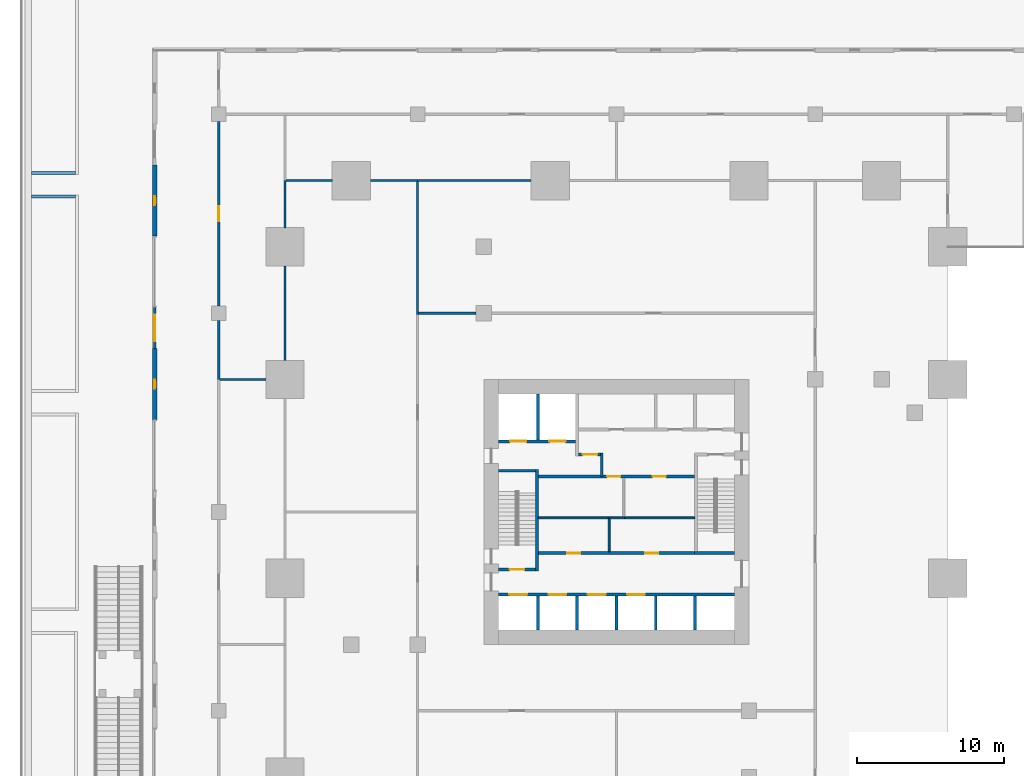
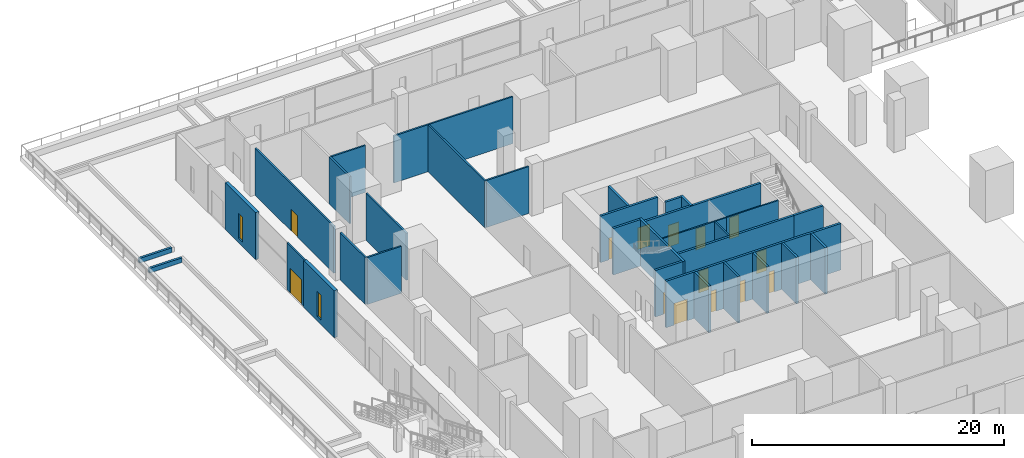
# One storey, part 32 of 49: 35 walls, 14 doors, 2 windows, 16 openings.
"""IFC4 building model written with IfcOpenShell, lengths in metres."""

from ifc_helpers import new_model, si_unit, direction, frame, frame_2d, origin, place, context, subcontext, project, spatial, rectangle, extrude, material, layer, layer_set, type_object, element, fill, save


model = new_model("IFC4")

# Units and contexts
model_context = context("Model", 3, precision=1e-05, world=origin(), true_north=direction((0.0, 1.0)))
body_context = subcontext(model_context, "Body", "Model", "MODEL_VIEW")
ifc_project = project(units=[si_unit("LENGTHUNIT", "METRE"), si_unit("AREAUNIT", "SQUARE_METRE"), si_unit("VOLUMEUNIT", "CUBIC_METRE"), si_unit("PLANEANGLEUNIT", "RADIAN"), si_unit("MASSUNIT", "GRAM", prefix="KILO")], contexts=[model_context])

# Site, building, storey
site_placement = place(None, origin())
site = spatial("IfcSite", under=ifc_project, at=site_placement, CompositionType="ELEMENT")
building_placement = place(site_placement, origin())
building = spatial("IfcBuilding", under=site, at=building_placement, Name="Altepetl Exchange Towers", CompositionType="ELEMENT")
storey_placement = place(building_placement, frame((0.0, 0.0, 11.5)))
storey = spatial("IfcBuildingStorey", under=building, at=storey_placement, Name="L02 Exchange podium", CompositionType="ELEMENT", Elevation=11.5)

# Wall, opening, door
ifc_material_1 = material(Name="Aluminium composite cladding", Category="aluminium")
ifc_layer_1 = layer(ifc_material_1, 0.14990234375)
ifc_layer_set_1 = layer_set([ifc_layer_1], Name="Aluminium composite cladding")
wall_type_1 = type_object("IfcWallType", Name="Infill wall 150 aluminium panel", PredefinedType="SOLIDWALL", material=ifc_layer_set_1)
wall_1_placement = place(storey_placement, frame((18.14990234375, 63.39990234375, 0.0), z_axis=(0.0, 0.0, 1.0), x_axis=(0.0, -1.0, 0.0)))
wall_1 = element("IfcWall", 1, at=wall_1_placement, inside=storey, type_object=wall_type_1, Name="Door bay wall", PredefinedType="SOLIDWALL", context=body_context, shape_type="SweptSolid", body=[
    extrude(rectangle(XDim=2.7998046875, YDim=0.14990234375, at=frame_2d((1.39990234375, 0.0))), origin(), (0.0, 0.0, 1.0), 4.550048828125),
])
opening_1_placement = place(wall_1_placement, frame((0.5, 0.0, 0.0)))
opening_1 = element("IfcOpeningElement", 2, at=opening_1_placement, cuts=wall_1, Name="Opening L02.E04", PredefinedType="OPENING", context=body_context, shape_type="SweptSolid", body=[
    extrude(rectangle(XDim=1.800048828125, YDim=2.39990234375, at=frame_2d((0.89990234375, 1.199951171875))), frame((0.0, 0.0849609375, 0.0), z_axis=(0.0, -1.0, 0.0), x_axis=(1.0, 0.0, 0.0)), (0.0, 0.0, 1.0), 0.169921875),
])
ifc_material_2 = material(Name="Aluminium 6063-T6 and glass", Category="aluminium")
door_type_1 = type_object("IfcDoorType", Name="Glazed door pair 1800x2400", OperationType="DOUBLE_DOOR_DOUBLE_SWING", PredefinedType="NOTDEFINED", material=ifc_material_2)
door_1_placement = place(opening_1_placement, frame((1.800048828125, 0.0, 0.0), x_axis=(-1.0, 0.0, 0.0)))
door_1 = element("IfcDoor", 3, at=door_1_placement, inside=storey, type_object=door_type_1, Name="Terrace door", OperationType="DOUBLE_DOOR_DOUBLE_SWING", OverallHeight=2.39990234375, OverallWidth=1.800048828125, PredefinedType="NOTDEFINED", context=body_context, shape_type="SweptSolid", body=[
    extrude(rectangle(XDim=1.800048828125, YDim=2.39990234375, at=frame_2d((0.89990234375, 1.199951171875))), frame((0.0, 0.02490234375, 0.0), z_axis=(0.0, -1.0, 0.0), x_axis=(1.0, 0.0, 0.0)), (0.0, 0.0, 1.0), 0.050048828125),
])
fill(opening_1, door_1)

# Wall
ifc_material_3 = material(Name="Concrete blockwork", Category="masonry")
ifc_layer_2 = layer(ifc_material_3, 0.199951171875)
ifc_layer_set_2 = layer_set([ifc_layer_2], Name="Concrete blockwork")
wall_type_2 = type_object("IfcWallType", Name="Lobby wall 200 blockwork", PredefinedType="PARTITIONING", material=ifc_layer_set_2)
wall_2_placement = place(storey_placement, frame((48.5, 51.89990234375, 0.0), z_axis=(0.0, 0.0, 1.0), x_axis=(0.0, 1.0, 0.0)))
element("IfcWall", 4, at=wall_2_placement, inside=storey, type_object=wall_type_2, Name="wall:A:L02:K-ffE", PredefinedType="PARTITIONING", context=body_context, shape_type="SweptSolid", body=[
    extrude(rectangle(XDim=1.60009765625, YDim=0.199951171875, at=frame_2d((0.800048828125, 0.0))), origin(), (0.0, 0.0, 1.0), 4.5),
])

# Wall, opening, door
wall_3_placement = place(storey_placement, frame((46.933349609375, 53.39990234375, 0.0)))
wall_3 = element("IfcWall", 5, at=wall_3_placement, inside=storey, type_object=wall_type_2, Name="wall:A:L02:K-ffN", PredefinedType="PARTITIONING", context=body_context, shape_type="SweptSolid", body=[
    extrude(rectangle(XDim=1.466552734375, YDim=0.199951171875, at=frame_2d((0.7333984375, 0.0))), origin(), (0.0, 0.0, 1.0), 4.5),
])
opening_2_placement = place(wall_3_placement, frame((0.2666015625, 0.0, 0.0)))
opening_2 = element("IfcOpeningElement", 6, at=opening_2_placement, cuts=wall_3, Name="Opening L02.A67", PredefinedType="OPENING", context=body_context, shape_type="SweptSolid", body=[
    extrude(rectangle(XDim=1.0, YDim=2.10009765625, at=frame_2d((0.5, 1.050048828125))), frame((0.0, 0.10986328125, 0.0), z_axis=(0.0, -1.0, 0.0), x_axis=(1.0, 0.0, 0.0)), (0.0, 0.0, 1.0), 0.219970703125),
])
ifc_material_4 = material(Name="Steel and timber fire door", Category="steel")
door_type_2 = type_object("IfcDoorType", Name="Fire door 1000 x 2100 stair and lobby", OperationType="SINGLE_SWING_LEFT", PredefinedType="DOOR", material=ifc_material_4)
door_2_placement = place(opening_2_placement, frame((1.0, 0.0, 0.0), x_axis=(-1.0, 0.0, 0.0)))
door_2 = element("IfcDoor", 7, at=door_2_placement, inside=storey, type_object=door_type_2, Name="door:A:L02:K-dffN", OperationType="SINGLE_SWING_RIGHT", OverallHeight=2.10009765625, OverallWidth=1.0, PredefinedType="DOOR", context=body_context, shape_type="SweptSolid", body=[
    extrude(rectangle(XDim=1.0, YDim=2.10009765625, at=frame_2d((0.5, 1.050048828125))), frame((0.0, 0.02490234375, 0.0), z_axis=(0.0, -1.0, 0.0), x_axis=(1.0, 0.0, 0.0)), (0.0, 0.0, 1.0), 0.050048828125),
])
fill(opening_2, door_2)

# Wall, openings, doors
wall_4_placement = place(storey_placement, frame((44.199951171875, 51.89990234375, 0.0)))
wall_4 = element("IfcWall", 8, at=wall_4_placement, inside=storey, type_object=wall_type_2, Name="wall:A:L02:K-zoneN", PredefinedType="PARTITIONING", context=body_context, shape_type="SweptSolid", body=[
    extrude(rectangle(XDim=10.60009765625, YDim=0.199951171875, at=frame_2d((5.300048828125, 0.0))), origin(), (0.0, 0.0, 1.0), 4.5),
])
opening_3_placement = place(wall_4_placement, frame((4.675048828125, 0.0, 0.0)))
opening_3 = element("IfcOpeningElement", 9, at=opening_3_placement, cuts=wall_4, Name="Opening L02.A74", PredefinedType="OPENING", context=body_context, shape_type="SweptSolid", body=[
    extrude(rectangle(XDim=0.89990234375, YDim=2.10009765625, at=frame_2d((0.449951171875, 1.050048828125))), frame((0.0, 0.10986328125, 0.0), z_axis=(0.0, -1.0, 0.0), x_axis=(1.0, 0.0, 0.0)), (0.0, 0.0, 1.0), 0.219970703125),
])
opening_4_placement = place(wall_4_placement, frame((7.75, 0.0, 0.0)))
opening_4 = element("IfcOpeningElement", 10, at=opening_4_placement, cuts=wall_4, Name="Opening L02.A75", PredefinedType="OPENING", context=body_context, shape_type="SweptSolid", body=[
    extrude(rectangle(XDim=0.89990234375, YDim=2.10009765625, at=frame_2d((0.449951171875, 1.050048828125))), frame((0.0, 0.10986328125, 0.0), z_axis=(0.0, -1.0, 0.0), x_axis=(1.0, 0.0, 0.0)), (0.0, 0.0, 1.0), 0.219970703125),
])
door_type_3 = type_object("IfcDoorType", Name="Fire door 900 x 2100 service room", OperationType="SINGLE_SWING_LEFT", PredefinedType="DOOR", material=ifc_material_4)
door_3_placement = place(opening_3_placement, frame((0.89990234375, 0.0, 0.0), x_axis=(-1.0, 0.0, 0.0)))
door_3 = element("IfcDoor", 11, at=door_3_placement, inside=storey, type_object=door_type_3, Name="door:A:L02:K-dz3", OperationType="SINGLE_SWING_LEFT", OverallHeight=2.10009765625, OverallWidth=0.89990234375, PredefinedType="DOOR", context=body_context, shape_type="SweptSolid", body=[
    extrude(rectangle(XDim=0.89990234375, YDim=2.10009765625, at=frame_2d((0.449951171875, 1.050048828125))), frame((0.0, 0.02490234375, 0.0), z_axis=(0.0, -1.0, 0.0), x_axis=(1.0, 0.0, 0.0)), (0.0, 0.0, 1.0), 0.050048828125),
])
fill(opening_3, door_3)
door_4_placement = place(opening_4_placement, frame((0.89990234375, 0.0, 0.0), x_axis=(-1.0, 0.0, 0.0)))
door_4 = element("IfcDoor", 12, at=door_4_placement, inside=storey, type_object=door_type_3, Name="door:A:L02:K-dz4", OperationType="SINGLE_SWING_LEFT", OverallHeight=2.10009765625, OverallWidth=0.89990234375, PredefinedType="DOOR", context=body_context, shape_type="SweptSolid", body=[
    extrude(rectangle(XDim=0.89990234375, YDim=2.10009765625, at=frame_2d((0.449951171875, 1.050048828125))), frame((0.0, 0.02490234375, 0.0), z_axis=(0.0, -1.0, 0.0), x_axis=(1.0, 0.0, 0.0)), (0.0, 0.0, 1.0), 0.050048828125),
])
fill(opening_4, door_4)

wall_5_placement = place(storey_placement, frame((44.199951171875, 46.699951171875, 0.0)))
wall_5 = element("IfcWall", 13, at=wall_5_placement, inside=storey, type_object=wall_type_2, Name="wall:A:L02:K-zoneS", PredefinedType="PARTITIONING", context=body_context, shape_type="SweptSolid", body=[
    extrude(rectangle(XDim=10.60009765625, YDim=0.199951171875, at=frame_2d((5.300048828125, 0.0))), origin(), (0.0, 0.0, 1.0), 4.5),
])
opening_5_placement = place(wall_5_placement, frame((1.949951171875, 0.0, 0.0)))
opening_5 = element("IfcOpeningElement", 14, at=opening_5_placement, cuts=wall_5, Name="Opening L02.A72", PredefinedType="OPENING", context=body_context, shape_type="SweptSolid", body=[
    extrude(rectangle(XDim=0.89990234375, YDim=2.10009765625, at=frame_2d((0.449951171875, 1.050048828125))), frame((0.0, 0.10986328125, 0.0), z_axis=(0.0, -1.0, 0.0), x_axis=(1.0, 0.0, 0.0)), (0.0, 0.0, 1.0), 0.219970703125),
])
opening_6_placement = place(wall_5_placement, frame((7.25, 0.0, 0.0)))
opening_6 = element("IfcOpeningElement", 15, at=opening_6_placement, cuts=wall_5, Name="Opening L02.A73", PredefinedType="OPENING", context=body_context, shape_type="SweptSolid", body=[
    extrude(rectangle(XDim=0.89990234375, YDim=2.10009765625, at=frame_2d((0.449951171875, 1.050048828125))), frame((0.0, 0.10986328125, 0.0), z_axis=(0.0, -1.0, 0.0), x_axis=(1.0, 0.0, 0.0)), (0.0, 0.0, 1.0), 0.219970703125),
])
door_5_placement = place(opening_5_placement, origin())
door_5 = element("IfcDoor", 16, at=door_5_placement, inside=storey, type_object=door_type_3, Name="door:A:L02:K-dz1", OperationType="SINGLE_SWING_LEFT", OverallHeight=2.10009765625, OverallWidth=0.89990234375, PredefinedType="DOOR", context=body_context, shape_type="SweptSolid", body=[
    extrude(rectangle(XDim=0.89990234375, YDim=2.10009765625, at=frame_2d((0.449951171875, 1.050048828125))), frame((0.0, 0.02490234375, 0.0), z_axis=(0.0, -1.0, 0.0), x_axis=(1.0, 0.0, 0.0)), (0.0, 0.0, 1.0), 0.050048828125),
])
fill(opening_5, door_5)
door_6_placement = place(opening_6_placement, origin())
door_6 = element("IfcDoor", 17, at=door_6_placement, inside=storey, type_object=door_type_3, Name="door:A:L02:K-dz2", OperationType="SINGLE_SWING_LEFT", OverallHeight=2.10009765625, OverallWidth=0.89990234375, PredefinedType="DOOR", context=body_context, shape_type="SweptSolid", body=[
    extrude(rectangle(XDim=0.89990234375, YDim=2.10009765625, at=frame_2d((0.449951171875, 1.050048828125))), frame((0.0, 0.02490234375, 0.0), z_axis=(0.0, -1.0, 0.0), x_axis=(1.0, 0.0, 0.0)), (0.0, 0.0, 1.0), 0.050048828125),
])
fill(opening_6, door_6)

# Walls
ifc_material_5 = material(Name="Gypsum board on steel studs", Category="steel")
ifc_layer_3 = layer(ifc_material_5, 0.125)
ifc_layer_set_3 = layer_set([ifc_layer_3], Name="Gypsum board on steel studs")
wall_type_3 = type_object("IfcWallType", Name="Partition 125 gypsum board on steel studs", PredefinedType="PARTITIONING", material=ifc_layer_set_3)
wall_6_placement = place(storey_placement, frame((49.0, 46.800048828125, 0.0), z_axis=(0.0, 0.0, 1.0), x_axis=(0.0, 1.0, 0.0)))
element("IfcWall", 18, at=wall_6_placement, inside=storey, type_object=wall_type_3, Name="wall:A:L02:K-zp1", PredefinedType="PARTITIONING", context=body_context, shape_type="SweptSolid", body=[
    extrude(rectangle(XDim=2.362548828125, YDim=0.125, at=frame_2d((1.18115234375, 0.0))), origin(), (0.0, 0.0, 1.0), 4.5),
])
wall_7_placement = place(storey_placement, frame((48.9375, 49.10009765625, 0.0), z_axis=(0.0, 0.0, 1.0), x_axis=(-1.0, 0.0, 0.0)))
element("IfcWall", 19, at=wall_7_placement, inside=storey, type_object=wall_type_3, Name="wall:A:L02:K-zp2", PredefinedType="PARTITIONING", context=body_context, shape_type="SweptSolid", body=[
    extrude(rectangle(XDim=4.737548828125, YDim=0.125, at=frame_2d((2.36865234375, 0.0))), origin(), (0.0, 0.0, 1.0), 4.5),
])
wall_8_placement = place(storey_placement, frame((50.0625, 49.10009765625, 0.0), z_axis=(0.0, 0.0, 1.0), x_axis=(-1.0, 0.0, 0.0)))
element("IfcWall", 20, at=wall_8_placement, inside=storey, type_object=wall_type_3, Name="wall:A:L02:K-zp3", PredefinedType="PARTITIONING", context=body_context, shape_type="SweptSolid", body=[
    extrude(rectangle(XDim=1.0625, YDim=0.125, at=frame_2d((0.53125, 0.0))), origin(), (0.0, 0.0, 1.0), 4.5),
])
wall_9_placement = place(storey_placement, frame((54.800048828125, 49.10009765625, 0.0), z_axis=(0.0, 0.0, 1.0), x_axis=(-1.0, 0.0, 0.0)))
element("IfcWall", 21, at=wall_9_placement, inside=storey, type_object=wall_type_3, Name="wall:A:L02:K-zp4", PredefinedType="PARTITIONING", context=body_context, shape_type="SweptSolid", body=[
    extrude(rectangle(XDim=4.800048828125, YDim=0.125, at=frame_2d((2.39990234375, 0.0))), origin(), (0.0, 0.0, 1.0), 4.5),
])
ifc_material_6 = material(Name="Reinforced concrete C35/45", Category="concrete")
ifc_layer_4 = layer(ifc_material_6, 0.199951171875)
ifc_layer_set_4 = layer_set([ifc_layer_4], Name="Reinforced concrete C35/45")
wall_type_4 = type_object("IfcWallType", Name="Planting bed curb 200", PredefinedType="SOLIDWALL", material=ifc_layer_set_4)
for number, where, name in (
    (22, (9.77490234375, 70.9150390625, 0.0), "wall:P:L02:CB22n"),
    (23, (9.77490234375, 72.514892578125, 0.0), "wall:P:L02:CB23s"),
):
    element("IfcWall", number, at=place(storey_placement, frame(where)), inside=storey, type_object=wall_type_4, Name=name, PredefinedType="SOLIDWALL", context=body_context, shape_type="SweptSolid", body=[
        extrude(rectangle(XDim=3.0, YDim=0.199951171875, at=frame_2d((1.5, 0.0))), origin(), (0.0, 0.0, 1.0), 0.449951171875),
    ])
ifc_layer_5 = layer(ifc_material_5, 0.14990234375)
ifc_layer_set_5 = layer_set([ifc_layer_5], Name="Gypsum board on steel studs")
wall_type_5 = type_object("IfcWallType", Name="Podium partition 150", PredefinedType="PARTITIONING", material=ifc_layer_set_5)
wall_10_placement = place(storey_placement, frame((22.5, 58.5, 0.0), z_axis=(0.0, 0.0, 1.0), x_axis=(0.0, 1.0, 0.0)))
element("IfcWall", 24, at=wall_10_placement, inside=storey, type_object=wall_type_5, Name="wall:P:L02:P007", PredefinedType="PARTITIONING", context=body_context, shape_type="SweptSolid", body=[
    extrude(rectangle(XDim=4.0048828125, YDim=0.14990234375, at=frame_2d((2.00244140625, 0.0))), origin(), (0.0, 0.0, 1.0), 4.550048828125),
])

# Wall, opening, door
wall_11_placement = place(storey_placement, frame((22.5, 63.4951171875, 0.0), z_axis=(0.0, 0.0, 1.0), x_axis=(0.0, 1.0, 0.0)))
wall_11 = element("IfcWall", 25, at=wall_11_placement, inside=storey, type_object=wall_type_5, Name="wall:P:L02:P008", PredefinedType="PARTITIONING", context=body_context, shape_type="SweptSolid", body=[
    extrude(rectangle(XDim=12.509765625, YDim=0.14990234375, at=frame_2d((6.2548828125, 0.0))), origin(), (0.0, 0.0, 1.0), 4.550048828125),
])
opening_7_placement = place(wall_11_placement, frame((5.75, 0.0, 0.0)))
opening_7 = element("IfcOpeningElement", 26, at=opening_7_placement, cuts=wall_11, Name="Opening L02.P003", PredefinedType="OPENING", context=body_context, shape_type="SweptSolid", body=[
    extrude(rectangle(XDim=1.0, YDim=2.10009765625, at=frame_2d((0.5, 1.050048828125))), frame((0.0, 0.0849609375, 0.0), z_axis=(0.0, -1.0, 0.0), x_axis=(1.0, 0.0, 0.0)), (0.0, 0.0, 1.0), 0.169921875),
])
door_type_4 = type_object("IfcDoorType", Name="Podium fire door 1000 x 2100 single leaf", OperationType="SINGLE_SWING_LEFT", PredefinedType="DOOR", material=ifc_material_4)
door_7_placement = place(opening_7_placement, frame((1.0, 0.0, 0.0), x_axis=(-1.0, 0.0, 0.0)))
door_7 = element("IfcDoor", 27, at=door_7_placement, inside=storey, type_object=door_type_4, Name="door:P:L02:003", OperationType="SINGLE_SWING_LEFT", OverallHeight=2.10009765625, OverallWidth=1.0, PredefinedType="DOOR", context=body_context, shape_type="SweptSolid", body=[
    extrude(rectangle(XDim=1.0, YDim=2.10009765625, at=frame_2d((0.5, 1.050048828125))), frame((0.0, 0.02490234375, 0.0), z_axis=(0.0, -1.0, 0.0), x_axis=(1.0, 0.0, 0.0)), (0.0, 0.0, 1.0), 0.050048828125),
])
fill(opening_7, door_7)

# Walls
wall_12_placement = place(storey_placement, frame((22.574951171875, 58.5, 0.0)))
element("IfcWall", 28, at=wall_12_placement, inside=storey, type_object=wall_type_5, Name="wall:P:L02:P053", PredefinedType="PARTITIONING", context=body_context, shape_type="SweptSolid", body=[
    extrude(rectangle(XDim=3.130126953125, YDim=0.14990234375, at=frame_2d((1.56494140625, 0.0))), origin(), (0.0, 0.0, 1.0), 4.550048828125),
])
wall_13_placement = place(storey_placement, frame((27.0, 59.794921875, 0.0), z_axis=(0.0, 0.0, 1.0), x_axis=(0.0, 1.0, 0.0)))
element("IfcWall", 29, at=wall_13_placement, inside=storey, type_object=wall_type_5, Name="wall:P:L02:P058", PredefinedType="PARTITIONING", context=body_context, shape_type="SweptSolid", body=[
    extrude(rectangle(XDim=6.41015625, YDim=0.14990234375, at=frame_2d((3.205078125, 0.0))), origin(), (0.0, 0.0, 1.0), 4.550048828125),
])
wall_14_placement = place(storey_placement, frame((27.0, 68.794921875, 0.0), z_axis=(0.0, 0.0, 1.0), x_axis=(0.0, 1.0, 0.0)))
element("IfcWall", 30, at=wall_14_placement, inside=storey, type_object=wall_type_5, Name="wall:P:L02:P059", PredefinedType="PARTITIONING", context=body_context, shape_type="SweptSolid", body=[
    extrude(rectangle(XDim=3.205078125, YDim=0.14990234375, at=frame_2d((1.6025390625, 0.0))), origin(), (0.0, 0.0, 1.0), 4.550048828125),
])
wall_15_placement = place(storey_placement, frame((35.925048828125, 72.0, 0.0)))
element("IfcWall", 31, at=wall_15_placement, inside=storey, type_object=wall_type_5, Name="wall:P:L02:P071", PredefinedType="PARTITIONING", context=body_context, shape_type="SweptSolid", body=[
    extrude(rectangle(XDim=7.780029296875, YDim=0.14990234375, at=frame_2d((3.89013671875, 0.0))), origin(), (0.0, 0.0, 1.0), 4.550048828125),
])
wall_16_placement = place(storey_placement, frame((27.074951171875, 72.0, 0.0)))
element("IfcWall", 32, at=wall_16_placement, inside=storey, type_object=wall_type_5, Name="wall:P:L02:P073", PredefinedType="PARTITIONING", context=body_context, shape_type="SweptSolid", body=[
    extrude(rectangle(XDim=3.130126953125, YDim=0.14990234375, at=frame_2d((1.56494140625, 0.0))), origin(), (0.0, 0.0, 1.0), 4.550048828125),
])
wall_17_placement = place(storey_placement, frame((32.794921875, 72.0, 0.0)))
element("IfcWall", 33, at=wall_17_placement, inside=storey, type_object=wall_type_5, Name="wall:P:L02:P074", PredefinedType="PARTITIONING", context=body_context, shape_type="SweptSolid", body=[
    extrude(rectangle(XDim=3.205078125, YDim=0.14990234375, at=frame_2d((1.6025390625, 0.0))), origin(), (0.0, 0.0, 1.0), 4.550048828125),
])
wall_18_placement = place(storey_placement, frame((36.0, 62.925048828125, 0.0), z_axis=(0.0, 0.0, 1.0), x_axis=(0.0, 1.0, 0.0)))
element("IfcWall", 34, at=wall_18_placement, inside=storey, type_object=wall_type_5, Name="wall:P:L02:P091", PredefinedType="PARTITIONING", context=body_context, shape_type="SweptSolid", body=[
    extrude(rectangle(XDim=9.0, YDim=0.14990234375, at=frame_2d((4.5, 0.0))), origin(), (0.0, 0.0, 1.0), 4.550048828125),
])
wall_19_placement = place(storey_placement, frame((36.074951171875, 63.0, 0.0)))
element("IfcWall", 35, at=wall_19_placement, inside=storey, type_object=wall_type_5, Name="wall:P:L02:P092", PredefinedType="PARTITIONING", context=body_context, shape_type="SweptSolid", body=[
    extrude(rectangle(XDim=3.905029296875, YDim=0.14990234375, at=frame_2d((1.95263671875, 0.0))), origin(), (0.0, 0.0, 1.0), 4.550048828125),
])
ifc_material_7 = material(Name="Concrete C40/50", Category="concrete")
ifc_layer_6 = layer(ifc_material_7, 0.199951171875)
ifc_layer_set_6 = layer_set([ifc_layer_6], Name="Concrete C40/50")
wall_type_6 = type_object("IfcWallType", Name="Shaft wall 200 reinforced concrete", PredefinedType="SHEAR", material=ifc_layer_set_6)
wall_20_placement = place(storey_placement, frame((44.166748046875, 57.5, 0.0), z_axis=(0.0, 0.0, 1.0), x_axis=(0.0, -1.0, 0.0)))
element("IfcWall", 36, at=wall_20_placement, inside=storey, type_object=wall_type_6, Name="wall:A:L02:K-divN1", PredefinedType="SHEAR", context=body_context, shape_type="SweptSolid", body=[
    extrude(rectangle(XDim=3.10009765625, YDim=0.199951171875, at=frame_2d((1.550048828125, 0.0))), origin(), (0.0, 0.0, 1.0), 4.5),
])
for number, where, z_axis, x_axis, name in (
    (37, (44.166748046875, 41.5, 0.0), (0.0, 0.0, 1.0), (0.0, 1.0, 0.0), "wall:A:L02:K-divS1"),
    (38, (46.833251953125, 41.5, 0.0), (0.0, 0.0, 1.0), (0.0, 1.0, 0.0), "wall:A:L02:K-divS2"),
    (39, (49.5, 41.5, 0.0), (0.0, 0.0, 1.0), (0.0, 1.0, 0.0), "wall:A:L02:K-divS3"),
    (40, (52.166748046875, 41.5, 0.0), (0.0, 0.0, 1.0), (0.0, 1.0, 0.0), "wall:A:L02:K-divS4"),
    (41, (54.833251953125, 41.5, 0.0), (0.0, 0.0, 1.0), (0.0, 1.0, 0.0), "wall:A:L02:K-divS5"),
):
    element("IfcWall", number, at=place(storey_placement, frame(where, z_axis=z_axis, x_axis=x_axis)), inside=storey, type_object=wall_type_6, Name=name, PredefinedType="SHEAR", context=body_context, shape_type="SweptSolid", body=[
        extrude(rectangle(XDim=2.300048828125, YDim=0.199951171875, at=frame_2d((1.14990234375, 0.0))), origin(), (0.0, 0.0, 1.0), 4.5),
    ])

# Wall, openings, doors
wall_21_placement = place(storey_placement, frame((41.5, 54.300048828125, 0.0)))
wall_21 = element("IfcWall", 42, at=wall_21_placement, inside=storey, type_object=wall_type_6, Name="wall:A:L02:K-frontNd", PredefinedType="SHEAR", context=body_context, shape_type="SweptSolid", body=[
    extrude(rectangle(XDim=5.2333984375, YDim=0.199951171875, at=frame_2d((2.61669921875, 0.0))), origin(), (0.0, 0.0, 1.0), 4.5),
])
opening_8_placement = place(wall_21_placement, frame((0.783203125, 0.0, 0.0)))
opening_8 = element("IfcOpeningElement", 43, at=opening_8_placement, cuts=wall_21, Name="Opening L02.A76", PredefinedType="OPENING", context=body_context, shape_type="SweptSolid", body=[
    extrude(rectangle(XDim=1.10009765625, YDim=2.10009765625, at=frame_2d((0.550048828125, 1.050048828125))), frame((0.0, 0.10986328125, 0.0), z_axis=(0.0, -1.0, 0.0), x_axis=(1.0, 0.0, 0.0)), (0.0, 0.0, 1.0), 0.219970703125),
])
opening_9_placement = place(wall_21_placement, frame((3.449951171875, 0.0, 0.0)))
opening_9 = element("IfcOpeningElement", 44, at=opening_9_placement, cuts=wall_21, Name="Opening L02.A77", PredefinedType="OPENING", context=body_context, shape_type="SweptSolid", body=[
    extrude(rectangle(XDim=1.10009765625, YDim=2.10009765625, at=frame_2d((0.550048828125, 1.050048828125))), frame((0.0, 0.10986328125, 0.0), z_axis=(0.0, -1.0, 0.0), x_axis=(1.0, 0.0, 0.0)), (0.0, 0.0, 1.0), 0.219970703125),
])
ifc_material_8 = material(Name="Stainless steel", Category="steel")
door_type_5 = type_object("IfcDoorType", Name="Lift landing door 1100 x 2100", OperationType="SLIDING_TO_LEFT", PredefinedType="DOOR", material=ifc_material_8)
door_8_placement = place(opening_8_placement, origin())
door_8 = element("IfcDoor", 45, at=door_8_placement, inside=storey, type_object=door_type_5, Name="Landing door FFL1", OperationType="SLIDING_TO_LEFT", OverallHeight=2.10009765625, OverallWidth=1.10009765625, PredefinedType="DOOR", context=body_context, shape_type="SweptSolid", body=[
    extrude(rectangle(XDim=1.10009765625, YDim=2.10009765625, at=frame_2d((0.550048828125, 1.050048828125))), frame((0.0, 0.02490234375, 0.0), z_axis=(0.0, -1.0, 0.0), x_axis=(1.0, 0.0, 0.0)), (0.0, 0.0, 1.0), 0.050048828125),
])
fill(opening_8, door_8)
door_9_placement = place(opening_9_placement, origin())
door_9 = element("IfcDoor", 46, at=door_9_placement, inside=storey, type_object=door_type_5, Name="Landing door FFL2", OperationType="SLIDING_TO_LEFT", OverallHeight=2.10009765625, OverallWidth=1.10009765625, PredefinedType="DOOR", context=body_context, shape_type="SweptSolid", body=[
    extrude(rectangle(XDim=1.10009765625, YDim=2.10009765625, at=frame_2d((0.550048828125, 1.050048828125))), frame((0.0, 0.02490234375, 0.0), z_axis=(0.0, -1.0, 0.0), x_axis=(1.0, 0.0, 0.0)), (0.0, 0.0, 1.0), 0.050048828125),
])
fill(opening_9, door_9)

wall_22_placement = place(storey_placement, frame((41.5, 43.89990234375, 0.0)))
wall_22 = element("IfcWall", 47, at=wall_22_placement, inside=storey, type_object=wall_type_6, Name="wall:A:L02:K-frontS", PredefinedType="SHEAR", context=body_context, shape_type="SweptSolid", body=[
    extrude(rectangle(XDim=16.0, YDim=0.199951171875, at=frame_2d((8.0, 0.0))), origin(), (0.0, 0.0, 1.0), 4.5),
])
opening_10_placement = place(wall_22_placement, frame((0.7333984375, 0.0, 0.0)))
opening_10 = element("IfcOpeningElement", 48, at=opening_10_placement, cuts=wall_22, Name="Opening L02.A78", PredefinedType="OPENING", context=body_context, shape_type="SweptSolid", body=[
    extrude(rectangle(XDim=1.199951171875, YDim=2.10009765625, at=frame_2d((0.60009765625, 1.050048828125))), frame((0.0, 0.10986328125, 0.0), z_axis=(0.0, -1.0, 0.0), x_axis=(1.0, 0.0, 0.0)), (0.0, 0.0, 1.0), 0.219970703125),
])
opening_11_placement = place(wall_22_placement, frame((3.39990234375, 0.0, 0.0)))
opening_11 = element("IfcOpeningElement", 49, at=opening_11_placement, cuts=wall_22, Name="Opening L02.A79", PredefinedType="OPENING", context=body_context, shape_type="SweptSolid", body=[
    extrude(rectangle(XDim=1.199951171875, YDim=2.10009765625, at=frame_2d((0.60009765625, 1.050048828125))), frame((0.0, 0.10986328125, 0.0), z_axis=(0.0, -1.0, 0.0), x_axis=(1.0, 0.0, 0.0)), (0.0, 0.0, 1.0), 0.219970703125),
])
opening_12_placement = place(wall_22_placement, frame((6.066650390625, 0.0, 0.0)))
opening_12 = element("IfcOpeningElement", 50, at=opening_12_placement, cuts=wall_22, Name="Opening L02.A80", PredefinedType="OPENING", context=body_context, shape_type="SweptSolid", body=[
    extrude(rectangle(XDim=1.199951171875, YDim=2.10009765625, at=frame_2d((0.60009765625, 1.050048828125))), frame((0.0, 0.10986328125, 0.0), z_axis=(0.0, -1.0, 0.0), x_axis=(1.0, 0.0, 0.0)), (0.0, 0.0, 1.0), 0.219970703125),
])
opening_13_placement = place(wall_22_placement, frame((8.7333984375, 0.0, 0.0)))
opening_13 = element("IfcOpeningElement", 51, at=opening_13_placement, cuts=wall_22, Name="Opening L02.A81", PredefinedType="OPENING", context=body_context, shape_type="SweptSolid", body=[
    extrude(rectangle(XDim=1.199951171875, YDim=2.10009765625, at=frame_2d((0.60009765625, 1.050048828125))), frame((0.0, 0.10986328125, 0.0), z_axis=(0.0, -1.0, 0.0), x_axis=(1.0, 0.0, 0.0)), (0.0, 0.0, 1.0), 0.219970703125),
])
door_type_6 = type_object("IfcDoorType", Name="Lift landing door 1200 x 2100", OperationType="SLIDING_TO_LEFT", PredefinedType="DOOR", material=ifc_material_8)
door_10_placement = place(opening_10_placement, origin())
door_10 = element("IfcDoor", 52, at=door_10_placement, inside=storey, type_object=door_type_6, Name="Landing door P1", OperationType="SLIDING_TO_LEFT", OverallHeight=2.10009765625, OverallWidth=1.199951171875, PredefinedType="DOOR", context=body_context, shape_type="SweptSolid", body=[
    extrude(rectangle(XDim=1.199951171875, YDim=2.10009765625, at=frame_2d((0.60009765625, 1.050048828125))), frame((0.0, 0.02490234375, 0.0), z_axis=(0.0, -1.0, 0.0), x_axis=(1.0, 0.0, 0.0)), (0.0, 0.0, 1.0), 0.050048828125),
])
fill(opening_10, door_10)
door_11_placement = place(opening_11_placement, origin())
door_11 = element("IfcDoor", 53, at=door_11_placement, inside=storey, type_object=door_type_6, Name="Landing door P2", OperationType="SLIDING_TO_LEFT", OverallHeight=2.10009765625, OverallWidth=1.199951171875, PredefinedType="DOOR", context=body_context, shape_type="SweptSolid", body=[
    extrude(rectangle(XDim=1.199951171875, YDim=2.10009765625, at=frame_2d((0.60009765625, 1.050048828125))), frame((0.0, 0.02490234375, 0.0), z_axis=(0.0, -1.0, 0.0), x_axis=(1.0, 0.0, 0.0)), (0.0, 0.0, 1.0), 0.050048828125),
])
fill(opening_11, door_11)
door_12_placement = place(opening_12_placement, origin())
door_12 = element("IfcDoor", 54, at=door_12_placement, inside=storey, type_object=door_type_6, Name="Landing door P3", OperationType="SLIDING_TO_LEFT", OverallHeight=2.10009765625, OverallWidth=1.199951171875, PredefinedType="DOOR", context=body_context, shape_type="SweptSolid", body=[
    extrude(rectangle(XDim=1.199951171875, YDim=2.10009765625, at=frame_2d((0.60009765625, 1.050048828125))), frame((0.0, 0.02490234375, 0.0), z_axis=(0.0, -1.0, 0.0), x_axis=(1.0, 0.0, 0.0)), (0.0, 0.0, 1.0), 0.050048828125),
])
fill(opening_12, door_12)
door_13_placement = place(opening_13_placement, origin())
door_13 = element("IfcDoor", 55, at=door_13_placement, inside=storey, type_object=door_type_6, Name="Landing door P4", OperationType="SLIDING_TO_LEFT", OverallHeight=2.10009765625, OverallWidth=1.199951171875, PredefinedType="DOOR", context=body_context, shape_type="SweptSolid", body=[
    extrude(rectangle(XDim=1.199951171875, YDim=2.10009765625, at=frame_2d((0.60009765625, 1.050048828125))), frame((0.0, 0.02490234375, 0.0), z_axis=(0.0, -1.0, 0.0), x_axis=(1.0, 0.0, 0.0)), (0.0, 0.0, 1.0), 0.050048828125),
])
fill(opening_13, door_13)

# Walls
ifc_layer_7 = layer(ifc_material_7, 0.199951171875)
ifc_layer_set_7 = layer_set([ifc_layer_7], Name="Concrete C40/50")
wall_type_7 = type_object("IfcWallType", Name="Stair wall 200 reinforced concrete", PredefinedType="SHEAR", material=ifc_layer_set_7)
wall_23_placement = place(storey_placement, frame((44.10009765625, 45.5, 0.0), z_axis=(0.0, 0.0, 1.0), x_axis=(0.0, 1.0, 0.0)))
element("IfcWall", 56, at=wall_23_placement, inside=storey, type_object=wall_type_7, Name="wall:A:L02:K-stS1E", PredefinedType="SHEAR", context=body_context, shape_type="SweptSolid", body=[
    extrude(rectangle(XDim=6.89990234375, YDim=0.199951171875, at=frame_2d((3.449951171875, 0.0))), origin(), (0.0, 0.0, 1.0), 4.5),
])
wall_24_placement = place(storey_placement, frame((41.5, 52.300048828125, 0.0)))
element("IfcWall", 57, at=wall_24_placement, inside=storey, type_object=wall_type_7, Name="wall:A:L02:K-stS1N", PredefinedType="SHEAR", context=body_context, shape_type="SweptSolid", body=[
    extrude(rectangle(XDim=2.5, YDim=0.199951171875, at=frame_2d((1.25, 0.0))), origin(), (0.0, 0.0, 1.0), 4.5),
])

# Wall, opening, door
wall_25_placement = place(storey_placement, frame((41.5, 45.60009765625, 0.0)))
wall_25 = element("IfcWall", 58, at=wall_25_placement, inside=storey, type_object=wall_type_7, Name="wall:A:L02:K-stS1S", PredefinedType="SHEAR", context=body_context, shape_type="SweptSolid", body=[
    extrude(rectangle(XDim=2.5, YDim=0.199951171875, at=frame_2d((1.25, 0.0))), origin(), (0.0, 0.0, 1.0), 4.5),
])
opening_14_placement = place(wall_25_placement, frame((0.75, 0.0, 0.0)))
opening_14 = element("IfcOpeningElement", 59, at=opening_14_placement, cuts=wall_25, Name="Opening L02.A63", PredefinedType="OPENING", context=body_context, shape_type="SweptSolid", body=[
    extrude(rectangle(XDim=1.0, YDim=2.10009765625, at=frame_2d((0.5, 1.050048828125))), frame((0.0, 0.10986328125, 0.0), z_axis=(0.0, -1.0, 0.0), x_axis=(1.0, 0.0, 0.0)), (0.0, 0.0, 1.0), 0.219970703125),
])
door_14_placement = place(opening_14_placement, origin())
door_14 = element("IfcDoor", 60, at=door_14_placement, inside=storey, type_object=door_type_2, Name="door:A:L02:K-dS1in", OperationType="SINGLE_SWING_RIGHT", OverallHeight=2.10009765625, OverallWidth=1.0, PredefinedType="DOOR", context=body_context, shape_type="SweptSolid", body=[
    extrude(rectangle(XDim=1.0, YDim=2.10009765625, at=frame_2d((0.5, 1.050048828125))), frame((0.0, 0.02490234375, 0.0), z_axis=(0.0, -1.0, 0.0), x_axis=(1.0, 0.0, 0.0)), (0.0, 0.0, 1.0), 0.050048828125),
])
fill(opening_14, door_14)

# Wall
wall_26_placement = place(storey_placement, frame((54.800048828125, 46.699951171875, 0.0)))
element("IfcWall", 61, at=wall_26_placement, inside=storey, type_object=wall_type_7, Name="wall:A:L02:K-stS2S", PredefinedType="SHEAR", context=body_context, shape_type="SweptSolid", body=[
    extrude(rectangle(XDim=2.699951171875, YDim=0.199951171875, at=frame_2d((1.35009765625, 0.0))), origin(), (0.0, 0.0, 1.0), 4.5),
])

# Wall, opening, window
ifc_material_9 = material(Name="Cantera limestone cladding", Category="masonry")
ifc_layer_8 = layer(ifc_material_9, 0.300048828125)
ifc_layer_set_8 = layer_set([ifc_layer_8], Name="Cantera limestone cladding")
wall_type_8 = type_object("IfcWallType", Name="Stone wall panel 300", PredefinedType="ELEMENTEDWALL", material=ifc_layer_set_8)
wall_27_placement = place(storey_placement, frame((18.14990234375, 73.050048828125, 0.0), z_axis=(0.0, 0.0, 1.0), x_axis=(0.0, -1.0, 0.0)))
wall_27 = element("IfcWall", 62, at=wall_27_placement, inside=storey, type_object=wall_type_8, Name="Stone wall panel", PredefinedType="ELEMENTEDWALL", context=body_context, shape_type="SweptSolid", body=[
    extrude(rectangle(XDim=4.824951171875, YDim=0.300048828125, at=frame_2d((2.41259765625, 0.0))), origin(), (0.0, 0.0, 1.0), 4.550048828125),
])
opening_15_placement = place(wall_27_placement, frame((2.112548828125, 0.0, 0.449951171875)))
opening_15 = element("IfcOpeningElement", 63, at=opening_15_placement, cuts=wall_27, Name="Opening W3", PredefinedType="OPENING", context=body_context, shape_type="SweptSolid", body=[
    extrude(rectangle(XDim=0.60009765625, YDim=2.39990234375, at=frame_2d((0.300048828125, 1.199951171875))), frame((0.0, 0.16015625, 0.0), z_axis=(0.0, -1.0, 0.0), x_axis=(1.0, 0.0, 0.0)), (0.0, 0.0, 1.0), 0.320068359375),
])
window_type = type_object("IfcWindowType", Name="Tall slot window 600x2400", PartitioningType="SINGLE_PANEL", PredefinedType="WINDOW", material=ifc_material_2)
window_1_placement = place(opening_15_placement, origin())
window_1 = element("IfcWindow", 64, at=window_1_placement, inside=storey, type_object=window_type, Name="Window", OverallHeight=2.39990234375, OverallWidth=0.60009765625, PartitioningType="SINGLE_PANEL", PredefinedType="WINDOW", context=body_context, shape_type="SweptSolid", body=[
    extrude(rectangle(XDim=0.60009765625, YDim=2.39990234375, at=frame_2d((0.300048828125, 1.199951171875))), frame((0.0, 0.030029296875, 0.0), z_axis=(0.0, -1.0, 0.0), x_axis=(1.0, 0.0, 0.0)), (0.0, 0.0, 1.0), 0.06005859375),
])
fill(opening_15, window_1)

wall_28_placement = place(storey_placement, frame((18.14990234375, 60.60009765625, 0.0), z_axis=(0.0, 0.0, 1.0), x_axis=(0.0, -1.0, 0.0)))
wall_28 = element("IfcWall", 65, at=wall_28_placement, inside=storey, type_object=wall_type_8, Name="Stone wall panel", PredefinedType="ELEMENTEDWALL", context=body_context, shape_type="SweptSolid", body=[
    extrude(rectangle(XDim=4.85009765625, YDim=0.300048828125, at=frame_2d((2.425048828125, 0.0))), origin(), (0.0, 0.0, 1.0), 4.550048828125),
])
opening_16_placement = place(wall_28_placement, frame((2.125, 0.0, 0.449951171875)))
opening_16 = element("IfcOpeningElement", 66, at=opening_16_placement, cuts=wall_28, Name="Opening W3", PredefinedType="OPENING", context=body_context, shape_type="SweptSolid", body=[
    extrude(rectangle(XDim=0.60009765625, YDim=2.39990234375, at=frame_2d((0.300048828125, 1.199951171875))), frame((0.0, 0.16015625, 0.0), z_axis=(0.0, -1.0, 0.0), x_axis=(1.0, 0.0, 0.0)), (0.0, 0.0, 1.0), 0.320068359375),
])
window_2_placement = place(opening_16_placement, origin())
window_2 = element("IfcWindow", 67, at=window_2_placement, inside=storey, type_object=window_type, Name="Window", OverallHeight=2.39990234375, OverallWidth=0.60009765625, PartitioningType="SINGLE_PANEL", PredefinedType="WINDOW", context=body_context, shape_type="SweptSolid", body=[
    extrude(rectangle(XDim=0.60009765625, YDim=2.39990234375, at=frame_2d((0.300048828125, 1.199951171875))), frame((0.0, 0.030029296875, 0.0), z_axis=(0.0, -1.0, 0.0), x_axis=(1.0, 0.0, 0.0)), (0.0, 0.0, 1.0), 0.06005859375),
])
fill(opening_16, window_2)

save(model, "model.ifc")
